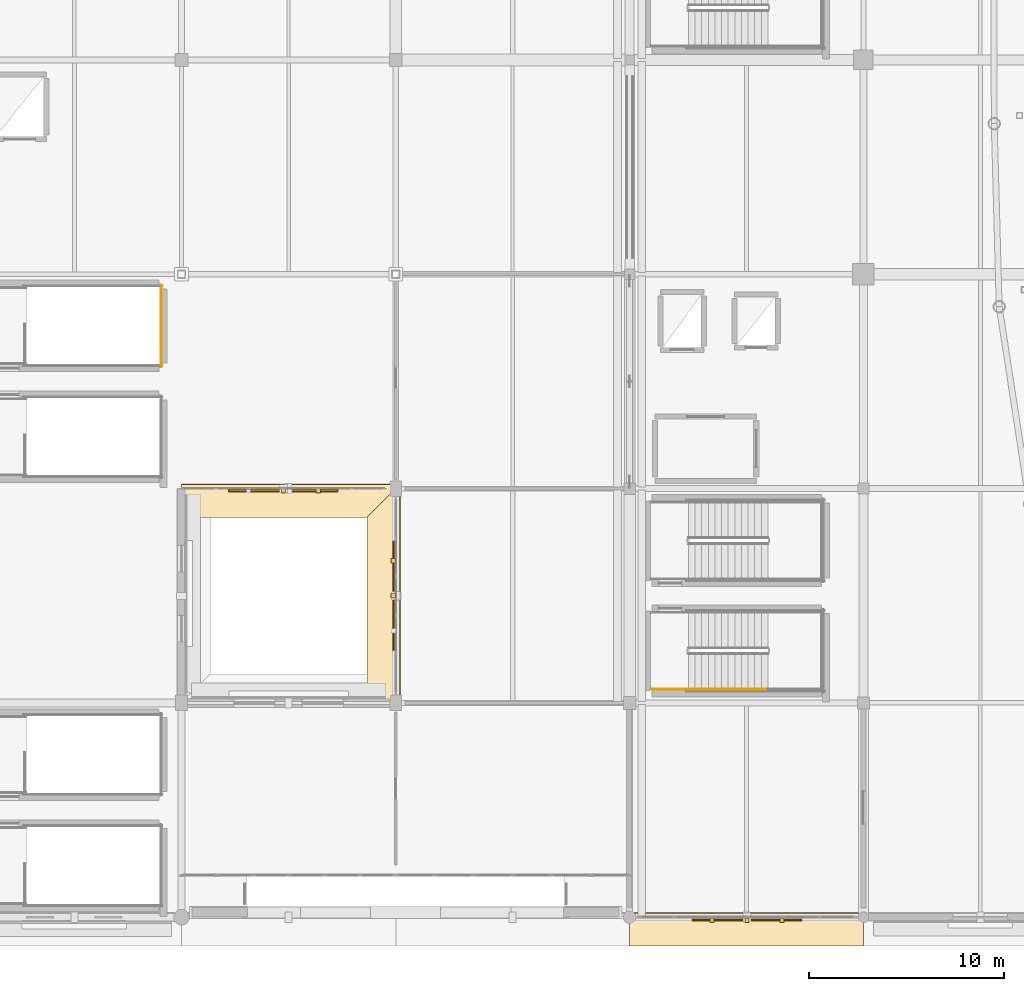
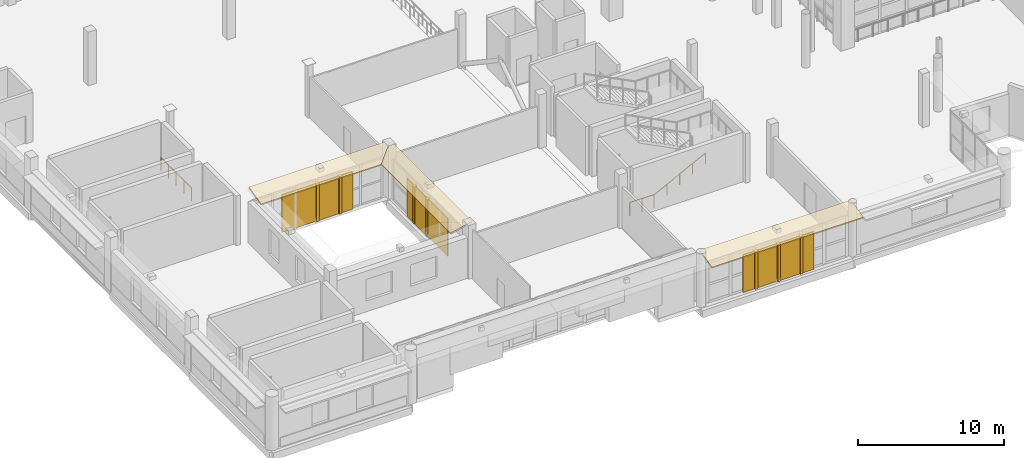
# One storey, part 97 of 118: 10 coverings, 3 railings, 3 shading devices.
"""IFC4 building model written with IfcOpenShell, lengths in metres."""

from ifc_helpers import new_model, si_unit, direction, frame, origin, origin_2d, place, context, subcontext, project, spatial, polyline, rectangle, circle, outline, extrude, material, layer, layer_set, type_object, element, save


model = new_model("IFC4")

# Units and contexts
model_context = context("Model", 3, precision=1e-05, world=origin(), true_north=direction((0.0, 1.0)))
body_context = subcontext(model_context, "Body", "Model", "MODEL_VIEW")
ifc_project = project(units=[si_unit("LENGTHUNIT", "METRE"), si_unit("AREAUNIT", "SQUARE_METRE"), si_unit("VOLUMEUNIT", "CUBIC_METRE"), si_unit("PLANEANGLEUNIT", "RADIAN"), si_unit("MASSUNIT", "GRAM", prefix="KILO")], contexts=[model_context])

# Site, building, storey
site_placement = place(None, origin())
site = spatial("IfcSite", under=ifc_project, at=site_placement, CompositionType="ELEMENT")
building_placement = place(site_placement, origin())
building = spatial("IfcBuilding", under=site, at=building_placement, Name="Luwafu Chhajja Arena", CompositionType="ELEMENT")
storey_placement = place(building_placement, frame((0.0, 0.0, 10.199951171875)))
storey = spatial("IfcBuildingStorey", under=building, at=storey_placement, Name="L02", CompositionType="ELEMENT", Elevation=10.199951171875)

# Coverings
ifc_material_1 = material(Name="Red laterite sandstone cladding", Category="masonry")
ifc_layer_1 = layer(ifc_material_1, 0.074951171875, Name="Red laterite sandstone cladding")
ifc_layer_set_1 = layer_set([ifc_layer_1], Name="Red laterite sandstone cladding")
covering_type = type_object("IfcCoveringType", Name="Dressed Red-Laterite Sandstone Cladding", PredefinedType="CLADDING", material=ifc_layer_set_1)
covering_1_placement = place(storey_placement, frame((11.0, 22.199951171875, 4.4599609375), z_axis=(0.0, -0.242502450825, 0.970150793096), x_axis=(1.0, 0.0, 0.0)))
element("IfcCovering", 1, at=covering_1_placement, inside=storey, type_object=covering_type, Name="L02 Continuous Sloped Sandstone Chhajja Eave 0140", PredefinedType="CLADDING", context=body_context, shape_type="SweptSolid", body=[
    extrude(outline(polyline([(0.0, 0.0), (11.0, 0.0), (11.0, -1.731619097341133), (0.0, -1.731619097341133), (0.0, 0.0)])), origin(), (0.0, 0.0, -1.0), 0.1298828125),
])
for number, where, z_axis, x_axis, name in (
    (2, (16.22998046875, 21.889892578125, 0.0), (0.0, 0.0, 1.0), (1.0, 0.0, 0.0), "L02 Sandstone Jali Mullion Fin 031"),
    (3, (18.02197265625, 21.889892578125, 0.0), (0.0, 0.0, 1.0), (1.0, 0.0, 0.0), "L02 Sandstone Jali Mullion Fin 031"),
):
    element("IfcCovering", number, at=place(storey_placement, frame(where, z_axis=z_axis, x_axis=x_axis)), inside=storey, type_object=covering_type, Name=name, PredefinedType="CLADDING", context=body_context, shape_type="SweptSolid", body=[
        extrude(rectangle(XDim=0.219970703125, YDim=0.239990234375, at=origin_2d()), origin(), (0.0, 0.0, 1.0), 3.155029296875),
    ])
covering_2_placement = place(storey_placement, frame((22.199951171875, 11.0, 4.4599609375), z_axis=(-0.242502450825, 0.0, 0.970150793096), x_axis=(0.0, 1.0, 0.0)))
element("IfcCovering", 4, at=covering_2_placement, inside=storey, type_object=covering_type, Name="L02 Continuous Sloped Sandstone Chhajja Eave 0145", PredefinedType="CLADDING", context=body_context, shape_type="SweptSolid", body=[
    extrude(outline(polyline([(0.0, 0.0), (11.0, 0.0), (11.0, 1.731619097341133), (0.0, 1.731619097341133), (0.0, 0.0)])), origin(), (0.0, 0.0, -1.0), 0.1298828125),
])
for number, where, z_axis, x_axis, name in (
    (5, (21.8701171875, 16.5, 0.0), (0.0, 0.0, 1.0), (0.0, 1.0, 0.0), "L02 Sandstone Jali Mullion Fin 033"),
    (6, (21.8701171875, 18.2919921875, 0.0), (0.0, 0.0, 1.0), (0.0, 1.0, 0.0), "L02 Sandstone Jali Mullion Fin 033"),
):
    element("IfcCovering", number, at=place(storey_placement, frame(where, z_axis=z_axis, x_axis=x_axis)), inside=storey, type_object=covering_type, Name=name, PredefinedType="CLADDING", context=body_context, shape_type="SweptSolid", body=[
        extrude(rectangle(XDim=0.219970703125, YDim=0.239990234375, at=origin_2d()), origin(), (0.0, 0.0, 1.0), 3.155029296875),
    ])
covering_3_placement = place(storey_placement, frame((34.0, 0.199951171875, 4.4599609375), z_axis=(0.0, -0.242502450825, 0.970150793096), x_axis=(1.0, 0.0, 0.0)))
element("IfcCovering", 7, at=covering_3_placement, inside=storey, type_object=covering_type, Name="L02 Continuous Sloped Sandstone Chhajja Eave 0148", PredefinedType="CLADDING", context=body_context, shape_type="SweptSolid", body=[
    extrude(outline(polyline([(0.0, 0.0), (12.0, 0.0), (12.0, -1.731619097341133), (0.0, -1.731619097341133), (0.0, 0.0)])), origin(), (0.0, 0.0, -1.0), 0.1298828125),
])
for number, where, z_axis, x_axis, name in (
    (8, (38.23291015625, -0.14990234375, 0.0), (0.0, 0.0, 1.0), (1.0, 0.0, 0.0), "L02 Sandstone Jali Mullion Fin 035"),
    (9, (40.02490234375, -0.14990234375, 0.0), (0.0, 0.0, 1.0), (1.0, 0.0, 0.0), "L02 Sandstone Jali Mullion Fin 035"),
    (10, (41.81689453125, -0.14990234375, 0.0), (0.0, 0.0, 1.0), (1.0, 0.0, 0.0), "L02 Sandstone Jali Mullion Fin 035"),
):
    element("IfcCovering", number, at=place(storey_placement, frame(where, z_axis=z_axis, x_axis=x_axis)), inside=storey, type_object=covering_type, Name=name, PredefinedType="CLADDING", context=body_context, shape_type="SweptSolid", body=[
        extrude(rectangle(XDim=0.219970703125, YDim=0.239990234375, at=origin_2d()), origin(), (0.0, 0.0, 1.0), 3.155029296875),
    ])

# Shading devices
ifc_material_2 = material(Name="Pierced buff sandstone jali", Category="masonry")
ifc_layer_2 = layer(ifc_material_2, 0.080078125, Name="Pierced buff sandstone jali")
ifc_layer_set_2 = layer_set([ifc_layer_2], Name="Pierced buff sandstone jali")
shading_device_type = type_object("IfcShadingDeviceType", Name="Pierced Buff-Sandstone Jali Screen", PredefinedType="JALOUSIE", material=ifc_layer_set_2)
for number, where, z_axis, x_axis, name in (
    (11, (16.22998046875, 21.889892578125, 0.0), (0.0, 0.0, 1.0), (1.0, 0.0, 0.0), "L02 Pierced Buff-Sandstone Jali Screen 031"),
    (12, (21.8701171875, 16.5, 0.0), (0.0, 0.0, 1.0), (0.0, 1.0, 0.0), "L02 Pierced Buff-Sandstone Jali Screen 033"),
    (13, (40.02490234375, -0.14990234375, 0.0), (0.0, 0.0, 1.0), (1.0, 0.0, 0.0), "L02 Pierced Buff-Sandstone Jali Screen 035"),
):
    element("IfcShadingDevice", number, at=place(storey_placement, frame(where, z_axis=z_axis, x_axis=x_axis)), inside=storey, type_object=shading_device_type, Name=name, PredefinedType="JALOUSIE", context=body_context, shape_type="SweptSolid", body=[
        extrude(rectangle(XDim=5.60009765625, YDim=0.080078125, at=origin_2d()), origin(), (0.0, 0.0, 1.0), 3.155029296875),
    ])

# Railings
ifc_material_3 = material(Name="Stainless steel handrail", Category="steel")
railing_type_1 = type_object("IfcRailingType", Name="Stair Pitch Wall Handrail 920", PredefinedType="HANDRAIL", material=ifc_material_3)
railing_1_placement = place(storey_placement, frame((37.02001953125, 11.699951171875, 0.173095703125)))
element("IfcRailing", 14, at=railing_1_placement, inside=storey, type_object=railing_type_1, Name="L02 ST-01 stair handrail 1", PredefinedType="HANDRAIL", context=body_context, shape_type="SweptSolid", body=[
    extrude(circle(Radius=0.02392578125, at=origin_2d()), frame((0.0, 0.0, 0.8759765625), z_axis=(0.891183106714, 0.0, 0.453643770274), x_axis=(0.0, 1.0, 0.0)), (0.0, 0.0, 1.0), 4.578369140625),
    extrude(circle(Radius=0.02099609375, at=origin_2d()), origin(), (0.0, 0.0, 1.0), 0.851806640625),
    extrude(circle(Radius=0.02099609375, at=origin_2d()), frame((1.02001953125, 0.0, 0.519287109375)), (0.0, 0.0, 1.0), 0.851806640625),
    extrude(circle(Radius=0.02099609375, at=origin_2d()), frame((2.0400390625, 0.0, 1.03857421875)), (0.0, 0.0, 1.0), 0.851806640625),
    extrude(circle(Radius=0.02099609375, at=origin_2d()), frame((3.06005859375, 0.0, 1.5576171875)), (0.0, 0.0, 1.0), 0.851806640625),
    extrude(circle(Radius=0.02099609375, at=origin_2d()), frame((4.080078125, 0.0, 2.076904296875)), (0.0, 0.0, 1.0), 0.851806640625),
])
ifc_material_4 = material(Name="Stainless steel balustrade", Category="steel")
railing_type_2 = type_object("IfcRailingType", Name="Stair and Terrace Guard Balustrade 1100", PredefinedType="BALUSTRADE", material=ifc_material_4)
railing_2_placement = place(storey_placement, frame((35.10009765625, 11.699951171875, 0.0)))
element("IfcRailing", 15, at=railing_2_placement, inside=storey, type_object=railing_type_2, Name="L02 ST-01 stair guard 8", PredefinedType="BALUSTRADE", context=body_context, shape_type="SweptSolid", body=[
    extrude(circle(Radius=0.02392578125, at=origin_2d()), frame((0.0, 0.0, 1.076171875), z_axis=(1.0, 0.0, 0.0), x_axis=(0.0, 1.0, 0.0)), (0.0, 0.0, 1.0), 1.919921875),
    extrude(circle(Radius=0.02099609375, at=origin_2d()), origin(), (0.0, 0.0, 1.0), 1.052001953125),
    extrude(circle(Radius=0.02099609375, at=origin_2d()), frame((0.9599609375, 0.0, 0.0)), (0.0, 0.0, 1.0), 1.052001953125),
    extrude(circle(Radius=0.02099609375, at=origin_2d()), frame((1.919921875, 0.0, 0.0)), (0.0, 0.0, 1.0), 1.052001953125),
])
railing_3_placement = place(storey_placement, frame((9.949951171875, 28.25, 0.0)))
element("IfcRailing", 16, at=railing_3_placement, inside=storey, type_object=railing_type_2, Name="L02 ST-14 top well guard 4", PredefinedType="BALUSTRADE", context=body_context, shape_type="SweptSolid", body=[
    extrude(circle(Radius=0.02392578125, at=origin_2d()), frame((0.0, 0.0, 1.076171875), z_axis=(0.0, 1.0, 0.0), x_axis=(-1.0, 0.0, 0.0)), (0.0, 0.0, 1.0), 4.199951171875),
    extrude(circle(Radius=0.02099609375, at=origin_2d()), origin(), (0.0, 0.0, 1.0), 1.052001953125),
    extrude(circle(Radius=0.02099609375, at=origin_2d()), frame((0.0, 1.050048828125, 0.0)), (0.0, 0.0, 1.0), 1.052001953125),
    extrude(circle(Radius=0.02099609375, at=origin_2d()), frame((0.0, 2.10009765625, 0.0)), (0.0, 0.0, 1.0), 1.052001953125),
    extrude(circle(Radius=0.02099609375, at=origin_2d()), frame((0.0, 3.14990234375, 0.0)), (0.0, 0.0, 1.0), 1.052001953125),
    extrude(circle(Radius=0.02099609375, at=origin_2d()), frame((0.0, 4.199951171875, 0.0)), (0.0, 0.0, 1.0), 1.052001953125),
])

save(model, "model.ifc")
